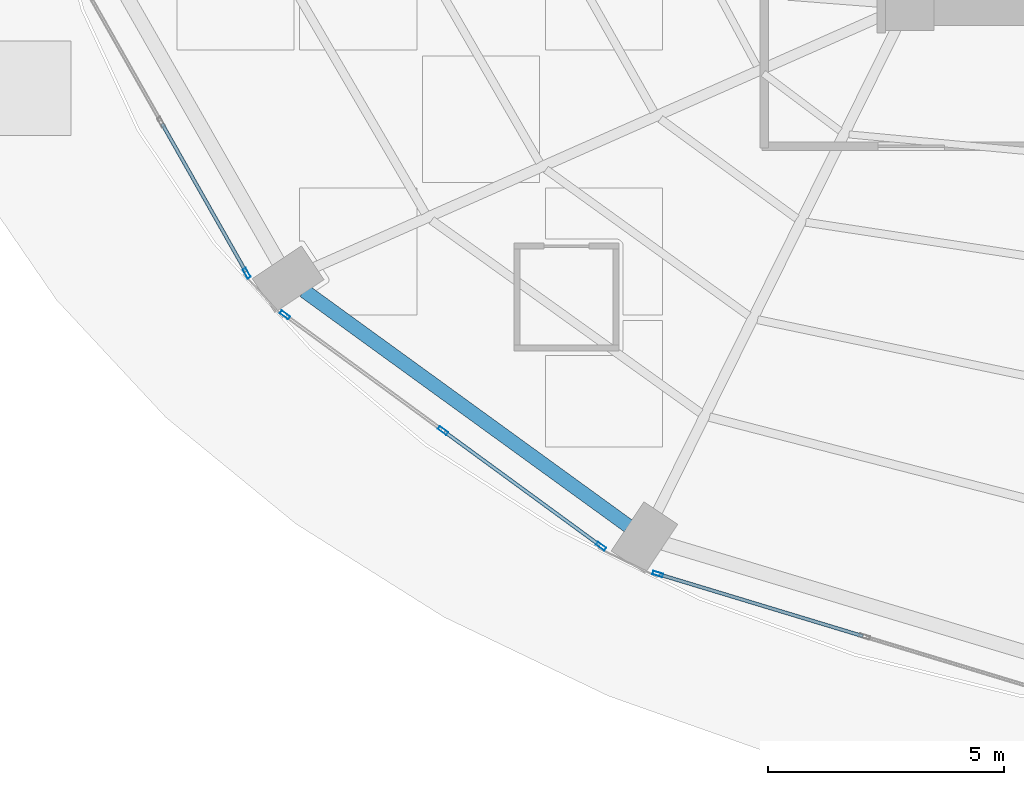
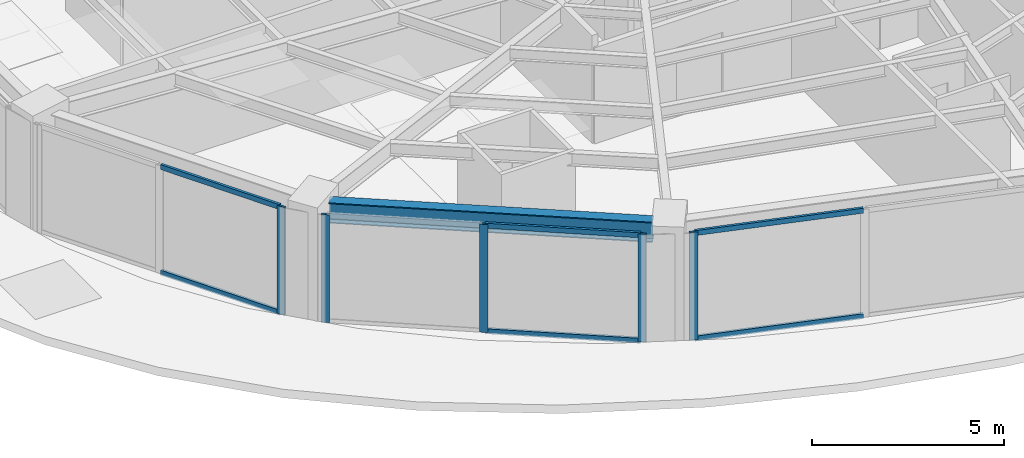
# One storey, part 2 of 25: 11 members, 1 beam, 3 elements without a shape of their own.
"""IFC4 building model written with IfcOpenShell, lengths in metres."""

from ifc_helpers import new_model, si_unit, direction, frame, origin, origin_2d, place, context, subcontext, project, spatial, hollow_rectangle, i_section, extrude, material, layer, layer_set, material_profile, profile_set, type_object, element, aggregate, save


model = new_model("IFC4")

# Units and contexts
model_context = context("Model", 3, precision=1e-05, world=origin(), true_north=direction((0.0, 1.0)))
body_context = subcontext(model_context, "Body", "Model", "MODEL_VIEW")
ifc_project = project(units=[si_unit("LENGTHUNIT", "METRE"), si_unit("AREAUNIT", "SQUARE_METRE"), si_unit("VOLUMEUNIT", "CUBIC_METRE"), si_unit("PLANEANGLEUNIT", "RADIAN"), si_unit("MASSUNIT", "GRAM", prefix="KILO")], contexts=[model_context])

# Site, building, storey
site_placement = place(None, origin())
site = spatial("IfcSite", under=ifc_project, at=site_placement, CompositionType="ELEMENT")
building_placement = place(site_placement, origin())
building = spatial("IfcBuilding", under=site, at=building_placement, Name="Lazwardi Medical Tower", CompositionType="ELEMENT")
storey_placement = place(building_placement, frame((0.0, 0.0, 25.199951171875)))
storey = spatial("IfcBuildingStorey", under=building, at=storey_placement, Name="L05", CompositionType="ELEMENT", Elevation=25.199951171875)

# Beam
ifc_material_1 = material(Name="Steel S355", Category="steel")
ifc_material_profile_1 = material_profile(ifc_material_1, i_section(OverallWidth=0.300048828125, OverallDepth=0.64990234375, WebThickness=0.01611328125, FlangeThickness=0.031005859375, at=origin_2d()), Name="HEB 650")
ifc_profile_set_1 = profile_set([ifc_material_profile_1], Name="Steel S355")
beam_type = type_object("IfcBeamType", Name="BM-RB-Z1", PredefinedType="BEAM", material=ifc_profile_set_1)
beam_placement = place(storey_placement, frame((13.6201171875, 14.339111328125, 3.10302734375), z_axis=(0.809407079515, -0.587247971159, 0.0), x_axis=(0.587247971159, 0.809407079515, 0.0)))
element("IfcBeam", 1, at=beam_placement, inside=storey, type_object=beam_type, Name="Ring beam RB-02 B14 L05", PredefinedType="BEAM", context=body_context, shape_type="SweptSolid", body=[
    extrude(i_section(OverallWidth=0.300048828125, OverallDepth=0.64990234375, WebThickness=0.01611328125, FlangeThickness=0.031005859375, at=origin_2d()), origin(), (0.0, 0.0, 1.0), 8.473876953125),
])

# Curtain wall, member
ifc_material_2 = material(Name="Anodised bronze aluminium and solar control glazing", Category="aluminium")
ifc_layer = layer(ifc_material_2, 0.199951171875)
ifc_layer_set = layer_set([ifc_layer], Name="Anodised bronze aluminium and solar control glazing")
curtain_wall_type = type_object("IfcCurtainWallType", Name="CW-SYS-02", PredefinedType="NOTDEFINED", material=ifc_layer_set)
curtain_wall_1_placement = place(storey_placement, origin())
curtain_wall_1 = element("IfcCurtainWall", 2, at=curtain_wall_1_placement, inside=storey, type_object=curtain_wall_type, Name="L05 Unitised bronze curtain wall CW-02", PredefinedType="NOTDEFINED")
ifc_material_3 = material(Name="Anodised bronze aluminium", Category="aluminium")
ifc_material_profile_2 = material_profile(ifc_material_3, hollow_rectangle(XDim=0.074951171875, YDim=0.219970703125, WallThickness=0.00390625, at=origin_2d()), Name="ALU-MULLION 220x75x4")
ifc_profile_set_2 = profile_set([ifc_material_profile_2], Name="Anodised bronze aluminium")
member_type_1 = type_object("IfcMemberType", Name="CW-MUL-01", PredefinedType="MULLION", material=ifc_profile_set_2)
member_1_placement = place(storey_placement, frame((12.4033203125, 14.71142578125, 0.0), z_axis=(0.0, 0.0, 1.0), x_axis=(0.870111838823, 0.492854327303, 0.0)))
member_1 = element("IfcMember", 3, at=member_1_placement, type_object=member_type_1, Name="CW-02 mullion 3", PredefinedType="MULLION", context=body_context, shape_type="SweptSolid", body=[
    extrude(hollow_rectangle(XDim=0.074951171875, YDim=0.219970703125, WallThickness=0.00390625, at=origin_2d()), origin(), (0.0, 0.0, 1.0), 3.427978515625),
])

# Curtain wall, members
curtain_wall_2_placement = place(storey_placement, origin())
curtain_wall_2 = element("IfcCurtainWall", 4, at=curtain_wall_2_placement, inside=storey, type_object=curtain_wall_type, Name="L05 Unitised bronze curtain wall CW-02", PredefinedType="NOTDEFINED")
member_2_placement = place(storey_placement, frame((13.209716796875, 13.827392578125, 0.0), z_axis=(0.0, 0.0, 1.0), x_axis=(0.590289307341, 0.807191757663, 0.0)))
member_2 = element("IfcMember", 5, at=member_2_placement, type_object=member_type_1, Name="CW-02 mullion 1", PredefinedType="MULLION", context=body_context, shape_type="SweptSolid", body=[
    extrude(hollow_rectangle(XDim=0.074951171875, YDim=0.219970703125, WallThickness=0.00390625, at=origin_2d()), origin(), (0.0, 0.0, 1.0), 3.427978515625),
])
member_3_placement = place(storey_placement, frame((16.5556640625, 11.380615234375, 0.0), z_axis=(0.0, 0.0, 1.0), x_axis=(0.590289307341, 0.807191757663, 0.0)))
member_3 = element("IfcMember", 6, at=member_3_placement, type_object=member_type_1, Name="CW-02 mullion 2", PredefinedType="MULLION", context=body_context, shape_type="SweptSolid", body=[
    extrude(hollow_rectangle(XDim=0.074951171875, YDim=0.219970703125, WallThickness=0.00390625, at=origin_2d()), origin(), (0.0, 0.0, 1.0), 3.427978515625),
])
member_4_placement = place(storey_placement, frame((19.9013671875, 8.933837890625, 0.0), z_axis=(0.0, 0.0, 1.0), x_axis=(0.590289307341, 0.807191757663, 0.0)))
member_4 = element("IfcMember", 7, at=member_4_placement, type_object=member_type_1, Name="CW-02 mullion 3", PredefinedType="MULLION", context=body_context, shape_type="SweptSolid", body=[
    extrude(hollow_rectangle(XDim=0.074951171875, YDim=0.219970703125, WallThickness=0.00390625, at=origin_2d()), origin(), (0.0, 0.0, 1.0), 3.427978515625),
])

# Curtain wall, member
curtain_wall_3_placement = place(storey_placement, origin())
curtain_wall_3 = element("IfcCurtainWall", 8, at=curtain_wall_3_placement, inside=storey, type_object=curtain_wall_type, Name="L05 Unitised bronze curtain wall CW-02", PredefinedType="NOTDEFINED")
member_5_placement = place(storey_placement, frame((21.1015625, 8.346923828125, 0.0), z_axis=(0.0, 0.0, 1.0), x_axis=(0.2898956909, 0.957058247129, 0.0)))
member_5 = element("IfcMember", 9, at=member_5_placement, type_object=member_type_1, Name="CW-02 mullion 1", PredefinedType="MULLION", context=body_context, shape_type="SweptSolid", body=[
    extrude(hollow_rectangle(XDim=0.074951171875, YDim=0.219970703125, WallThickness=0.00390625, at=origin_2d()), origin(), (0.0, 0.0, 1.0), 3.427978515625),
])

# Member
ifc_material_profile_3 = material_profile(ifc_material_3, hollow_rectangle(XDim=0.074951171875, YDim=0.159912109375, WallThickness=0.00390625, at=origin_2d()), Name="ALU-TRANSOM 160x75x4")
ifc_profile_set_3 = profile_set([ifc_material_profile_3], Name="Anodised bronze aluminium")
member_type_2 = type_object("IfcMemberType", Name="CW-TRN-01", PredefinedType="USERDEFINED", material=ifc_profile_set_3)
member_6_placement = place(storey_placement, frame((10.613037109375, 17.871826171875, 0.03759765625), z_axis=(0.492880614687, -0.870096948429, 0.0), x_axis=(0.870096948429, 0.492880614687, 0.0)))
member_6 = element("IfcMember", 10, at=member_6_placement, type_object=member_type_2, Name="CW-02 transom 2.1", ObjectType="TRANSOM", PredefinedType="USERDEFINED", context=body_context, shape_type="SweptSolid", body=[
    extrude(hollow_rectangle(XDim=0.074951171875, YDim=0.159912109375, WallThickness=0.00390625, at=origin_2d()), origin(), (0.0, 0.0, 1.0), 3.5947265625),
])

member_7_placement = place(storey_placement, frame((10.613037109375, 17.871826171875, 3.390625), z_axis=(0.492880614687, -0.870096948429, 0.0), x_axis=(0.870096948429, 0.492880614687, 0.0)))
member_7 = element("IfcMember", 11, at=member_7_placement, type_object=member_type_2, Name="CW-02 transom 2.2", ObjectType="TRANSOM", PredefinedType="USERDEFINED", context=body_context, shape_type="SweptSolid", body=[
    extrude(hollow_rectangle(XDim=0.074951171875, YDim=0.159912109375, WallThickness=0.00390625, at=origin_2d()), origin(), (0.0, 0.0, 1.0), 3.5947265625),
])

aggregate(curtain_wall_1, [member_1, member_6, member_7])

member_8_placement = place(storey_placement, frame((16.5859375, 11.358642578125, 0.03759765625), z_axis=(0.807169053975, -0.590320352271, 0.0), x_axis=(0.590320352271, 0.807169053975, 0.0)))
member_8 = element("IfcMember", 12, at=member_8_placement, type_object=member_type_2, Name="CW-02 transom 2.1", ObjectType="TRANSOM", PredefinedType="USERDEFINED", context=body_context, shape_type="SweptSolid", body=[
    extrude(hollow_rectangle(XDim=0.074951171875, YDim=0.159912109375, WallThickness=0.00390625, at=origin_2d()), origin(), (0.0, 0.0, 1.0), 4.070068359375),
])

member_9_placement = place(storey_placement, frame((16.5859375, 11.358642578125, 3.390625), z_axis=(0.807169053975, -0.590320352271, 0.0), x_axis=(0.590320352271, 0.807169053975, 0.0)))
member_9 = element("IfcMember", 13, at=member_9_placement, type_object=member_type_2, Name="CW-02 transom 2.2", ObjectType="TRANSOM", PredefinedType="USERDEFINED", context=body_context, shape_type="SweptSolid", body=[
    extrude(hollow_rectangle(XDim=0.074951171875, YDim=0.159912109375, WallThickness=0.00390625, at=origin_2d()), origin(), (0.0, 0.0, 1.0), 4.070068359375),
])

aggregate(curtain_wall_2, [member_2, member_3, member_4, member_8, member_9])

member_10_placement = place(storey_placement, frame((21.137451171875, 8.3359375, 0.03759765625), z_axis=(0.957062297904, -0.289882317383, 0.0), x_axis=(0.289882317383, 0.957062297904, 0.0)))
member_10 = element("IfcMember", 14, at=member_10_placement, type_object=member_type_2, Name="CW-02 transom 1.1", ObjectType="TRANSOM", PredefinedType="USERDEFINED", context=body_context, shape_type="SweptSolid", body=[
    extrude(hollow_rectangle(XDim=0.074951171875, YDim=0.159912109375, WallThickness=0.00390625, at=origin_2d()), origin(), (0.0, 0.0, 1.0), 4.49658203125),
])

member_11_placement = place(storey_placement, frame((21.137451171875, 8.3359375, 3.390625), z_axis=(0.957062297904, -0.289882317383, 0.0), x_axis=(0.289882317383, 0.957062297904, 0.0)))
member_11 = element("IfcMember", 15, at=member_11_placement, type_object=member_type_2, Name="CW-02 transom 1.2", ObjectType="TRANSOM", PredefinedType="USERDEFINED", context=body_context, shape_type="SweptSolid", body=[
    extrude(hollow_rectangle(XDim=0.074951171875, YDim=0.159912109375, WallThickness=0.00390625, at=origin_2d()), origin(), (0.0, 0.0, 1.0), 4.49658203125),
])

aggregate(curtain_wall_3, [member_5, member_10, member_11])

save(model, "model.ifc")
